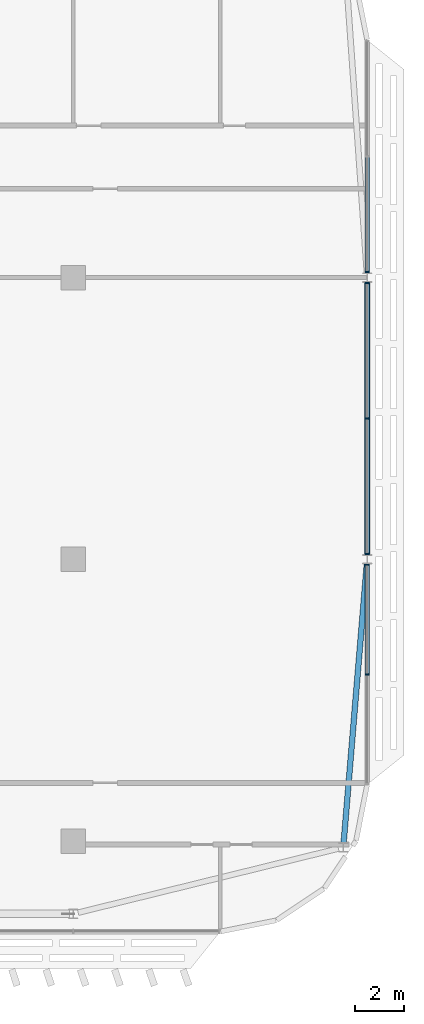
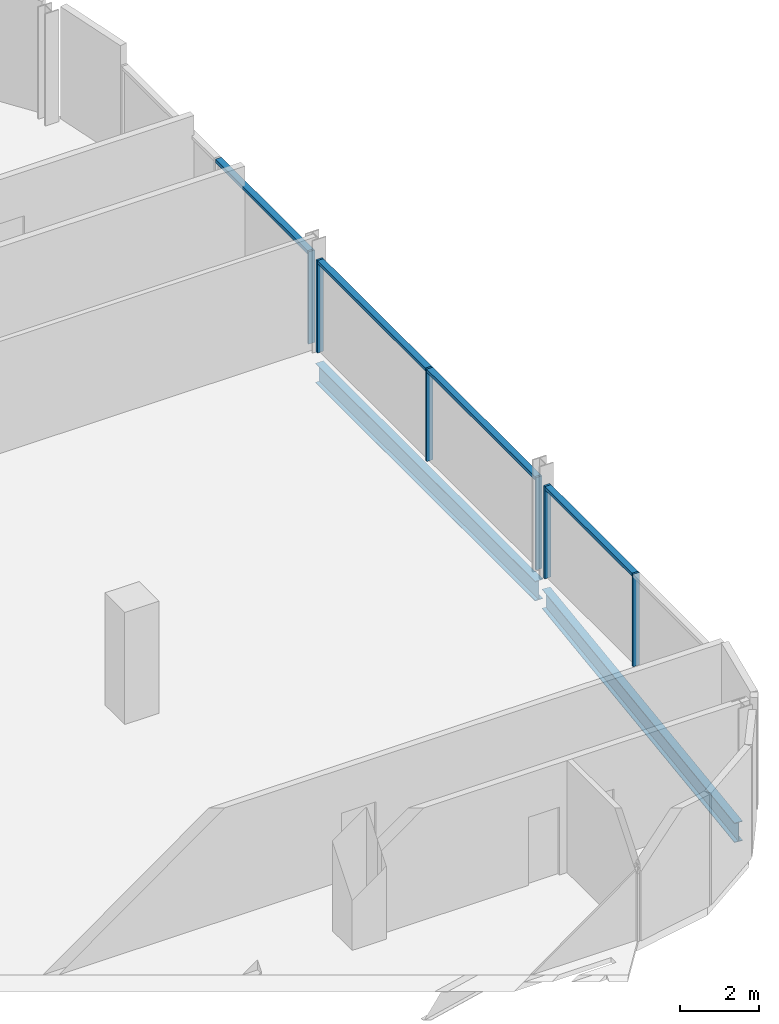
# One storey, part 13 of 34: 10 members, 2 beams, 3 elements without a shape of their own.
"""IFC4 building model written with IfcOpenShell, lengths in metres."""

from ifc_helpers import new_model, si_unit, direction, frame, origin, origin_2d, place, context, subcontext, project, spatial, rectangle, i_section, extrude, material, material_profile, profile_set, type_object, element, aggregate, save


model = new_model("IFC4")

# Units and contexts
model_context = context("Model", 3, precision=1e-05, world=origin(), true_north=direction((0.0, 1.0)))
body_context = subcontext(model_context, "Body", "Model", "MODEL_VIEW")
ifc_project = project(units=[si_unit("LENGTHUNIT", "METRE"), si_unit("AREAUNIT", "SQUARE_METRE"), si_unit("VOLUMEUNIT", "CUBIC_METRE"), si_unit("PLANEANGLEUNIT", "RADIAN"), si_unit("MASSUNIT", "GRAM", prefix="KILO")], contexts=[model_context])

# Site, building, storey
site_placement = place(None, origin())
site = spatial("IfcSite", under=ifc_project, at=site_placement, CompositionType="ELEMENT")
building_placement = place(site_placement, origin())
building = spatial("IfcBuilding", under=site, at=building_placement, Name="Mahtab Terrace Research Tower", CompositionType="ELEMENT")
storey_placement = place(building_placement, frame((0.0, 0.0, 247.60009765625)))
storey = spatial("IfcBuildingStorey", under=building, at=storey_placement, Name="L60", CompositionType="ELEMENT", Elevation=247.60009765625)

# Curtain wall, members
ifc_material_1 = material(Name="Office ribbon curtain wall")
curtain_wall_type = type_object("IfcCurtainWallType", Name="Office ribbon curtain wall", PredefinedType="NOTDEFINED", material=ifc_material_1)
curtain_wall_1_placement = place(storey_placement, origin())
curtain_wall_1 = element("IfcCurtainWall", 1, at=curtain_wall_1_placement, inside=storey, type_object=curtain_wall_type, Name="EN.L60.18.21", PredefinedType="NOTDEFINED")
ifc_material_2 = material(Name="Natural anodised aluminium", Category="aluminium")
ifc_material_profile_1 = material_profile(ifc_material_2, rectangle(XDim=0.179931640625, YDim=0.06005859375, at=origin_2d()), Name="MULLION 60x180")
ifc_profile_set_1 = profile_set([ifc_material_profile_1], Name="Natural anodised aluminium")
member_type_1 = type_object("IfcMemberType", Name="Office ribbon curtain wall mullion", PredefinedType="MULLION", material=ifc_profile_set_1)
member_1_placement = place(storey_placement, frame((54.0, -4.694091796875, 0.0), z_axis=(0.0, 0.0, 1.0), x_axis=(-1.0, 0.0, 0.0)))
member_1 = element("IfcMember", 2, at=member_1_placement, type_object=member_type_1, Name="CWO-7 mullion 2", PredefinedType="MULLION", context=body_context, shape_type="SweptSolid", body=[
    extrude(rectangle(XDim=0.179931640625, YDim=0.06005859375, at=origin_2d()), origin(), (0.0, 0.0, 1.0), 2.852783203125),
])
member_2_placement = place(storey_placement, frame((54.0, -0.222900390625, 0.0), z_axis=(0.0, 0.0, 1.0), x_axis=(-1.0, 0.0, 0.0)))
member_2 = element("IfcMember", 3, at=member_2_placement, type_object=member_type_1, Name="CWO-7 mullion 3", PredefinedType="MULLION", context=body_context, shape_type="SweptSolid", body=[
    extrude(rectangle(XDim=0.179931640625, YDim=0.06005859375, at=origin_2d()), origin(), (0.0, 0.0, 1.0), 2.852783203125),
])

curtain_wall_2_placement = place(storey_placement, origin())
curtain_wall_2 = element("IfcCurtainWall", 4, at=curtain_wall_2_placement, inside=storey, type_object=curtain_wall_type, Name="EN.L60.18.22", PredefinedType="NOTDEFINED")
member_3_placement = place(storey_placement, frame((54.0, 0.222900390625, 0.0), z_axis=(0.0, 0.0, 1.0), x_axis=(-1.0, 0.0, 0.0)))
member_3 = element("IfcMember", 5, at=member_3_placement, type_object=member_type_1, Name="CWO-7 mullion 1", PredefinedType="MULLION", context=body_context, shape_type="SweptSolid", body=[
    extrude(rectangle(XDim=0.179931640625, YDim=0.06005859375, at=origin_2d()), origin(), (0.0, 0.0, 1.0), 2.852783203125),
])
member_4_placement = place(storey_placement, frame((54.0, 5.75, 0.0), z_axis=(0.0, 0.0, 1.0), x_axis=(-1.0, 0.0, 0.0)))
member_4 = element("IfcMember", 6, at=member_4_placement, type_object=member_type_1, Name="CWO-7 mullion 2", PredefinedType="MULLION", context=body_context, shape_type="SweptSolid", body=[
    extrude(rectangle(XDim=0.179931640625, YDim=0.06005859375, at=origin_2d()), origin(), (0.0, 0.0, 1.0), 2.852783203125),
])
member_5_placement = place(storey_placement, frame((54.0, 11.277099609375, 0.0), z_axis=(0.0, 0.0, 1.0), x_axis=(-1.0, 0.0, 0.0)))
member_5 = element("IfcMember", 7, at=member_5_placement, type_object=member_type_1, Name="CWO-7 mullion 3", PredefinedType="MULLION", context=body_context, shape_type="SweptSolid", body=[
    extrude(rectangle(XDim=0.179931640625, YDim=0.06005859375, at=origin_2d()), origin(), (0.0, 0.0, 1.0), 2.852783203125),
])

# Curtain wall, member
curtain_wall_3_placement = place(storey_placement, origin())
curtain_wall_3 = element("IfcCurtainWall", 8, at=curtain_wall_3_placement, inside=storey, type_object=curtain_wall_type, Name="EN.L60.18.23", PredefinedType="NOTDEFINED")
member_6_placement = place(storey_placement, frame((54.0, 11.722900390625, 0.0), z_axis=(0.0, 0.0, 1.0), x_axis=(-1.0, 0.0, 0.0)))
member_6 = element("IfcMember", 9, at=member_6_placement, type_object=member_type_1, Name="CWO-7 mullion 1", PredefinedType="MULLION", context=body_context, shape_type="SweptSolid", body=[
    extrude(rectangle(XDim=0.179931640625, YDim=0.06005859375, at=origin_2d()), origin(), (0.0, 0.0, 1.0), 2.852783203125),
])

# Member
ifc_material_profile_2 = material_profile(ifc_material_2, rectangle(XDim=0.179931640625, YDim=0.10009765625, at=origin_2d()), Name="TRANSOM 100x180")
ifc_profile_set_2 = profile_set([ifc_material_profile_2], Name="Natural anodised aluminium")
member_type_2 = type_object("IfcMemberType", Name="Office ribbon curtain wall transom", PredefinedType="USERDEFINED", material=ifc_profile_set_2)
member_7_placement = place(storey_placement, frame((54.0, -4.6640625, 2.802734375), z_axis=(0.0, 1.0, 0.0), x_axis=(-1.0, 0.0, 0.0)))
member_7 = element("IfcMember", 10, at=member_7_placement, type_object=member_type_2, Name="CWO-7 transom 2", ObjectType="TRANSOM", PredefinedType="USERDEFINED", context=body_context, shape_type="SweptSolid", body=[
    extrude(rectangle(XDim=0.179931640625, YDim=0.10009765625, at=origin_2d()), origin(), (0.0, 0.0, 1.0), 4.4111328125),
])

aggregate(curtain_wall_1, [member_1, member_2, member_7])

member_8_placement = place(storey_placement, frame((54.0, 0.2529296875, 2.802734375), z_axis=(0.0, 1.0, 0.0), x_axis=(-1.0, 0.0, 0.0)))
member_8 = element("IfcMember", 11, at=member_8_placement, type_object=member_type_2, Name="CWO-7 transom 1", ObjectType="TRANSOM", PredefinedType="USERDEFINED", context=body_context, shape_type="SweptSolid", body=[
    extrude(rectangle(XDim=0.179931640625, YDim=0.10009765625, at=origin_2d()), origin(), (0.0, 0.0, 1.0), 5.467041015625),
])

member_9_placement = place(storey_placement, frame((54.0, 5.780029296875, 2.802734375), z_axis=(0.0, 1.0, 0.0), x_axis=(-1.0, 0.0, 0.0)))
member_9 = element("IfcMember", 12, at=member_9_placement, type_object=member_type_2, Name="CWO-7 transom 2", ObjectType="TRANSOM", PredefinedType="USERDEFINED", context=body_context, shape_type="SweptSolid", body=[
    extrude(rectangle(XDim=0.179931640625, YDim=0.10009765625, at=origin_2d()), origin(), (0.0, 0.0, 1.0), 5.467041015625),
])

aggregate(curtain_wall_2, [member_3, member_4, member_5, member_8, member_9])

member_10_placement = place(storey_placement, frame((54.0, 11.7529296875, 2.802734375), z_axis=(0.0, 1.0, 0.0), x_axis=(-1.0, 0.0, 0.0)))
member_10 = element("IfcMember", 13, at=member_10_placement, type_object=member_type_2, Name="CWO-7 transom 1", ObjectType="TRANSOM", PredefinedType="USERDEFINED", context=body_context, shape_type="SweptSolid", body=[
    extrude(rectangle(XDim=0.179931640625, YDim=0.10009765625, at=origin_2d()), origin(), (0.0, 0.0, 1.0), 4.6611328125),
])

aggregate(curtain_wall_3, [member_6, member_10])

# Beams
ifc_material_3 = material(Name="Steel ASTM A992 Gr 50", Category="steel")
ifc_material_profile_3 = material_profile(ifc_material_3, i_section(OverallWidth=0.228271484375, OverallDepth=0.607177734375, WebThickness=0.01123046875, FlangeThickness=0.017333984375, at=origin_2d()), Name="W24X76")
ifc_profile_set_3 = profile_set([ifc_material_profile_3], Name="Steel ASTM A992 Gr 50")
beam_type = type_object("IfcBeamType", Name="W24x76 beam BS2476", PredefinedType="BEAM", material=ifc_profile_set_3)
beam_1_placement = place(storey_placement, frame((53.037109375, -11.56494140625, -0.6435546875), z_axis=(0.08296934335, 0.996552100025, 0.0), x_axis=(-0.996552100025, 0.08296934335, 0.0)))
element("IfcBeam", 14, at=beam_1_placement, inside=storey, type_object=beam_type, Name="Spandrel beam L60 20", PredefinedType="BEAM", context=body_context, shape_type="SweptSolid", body=[
    extrude(i_section(OverallWidth=0.228271484375, OverallDepth=0.607177734375, WebThickness=0.01123046875, FlangeThickness=0.017333984375, at=origin_2d()), origin(), (0.0, 0.0, 1.0), 11.4111328125),
])
beam_2_placement = place(storey_placement, frame((54.0, 0.193115234375, -0.6435546875), z_axis=(0.0, 1.0, 0.0), x_axis=(-1.0, 0.0, 0.0)))
element("IfcBeam", 15, at=beam_2_placement, inside=storey, type_object=beam_type, Name="Spandrel beam L60 21", PredefinedType="BEAM", context=body_context, shape_type="SweptSolid", body=[
    extrude(i_section(OverallWidth=0.228271484375, OverallDepth=0.607177734375, WebThickness=0.01123046875, FlangeThickness=0.017333984375, at=origin_2d()), origin(), (0.0, 0.0, 1.0), 11.11376953125),
])

save(model, "model.ifc")
